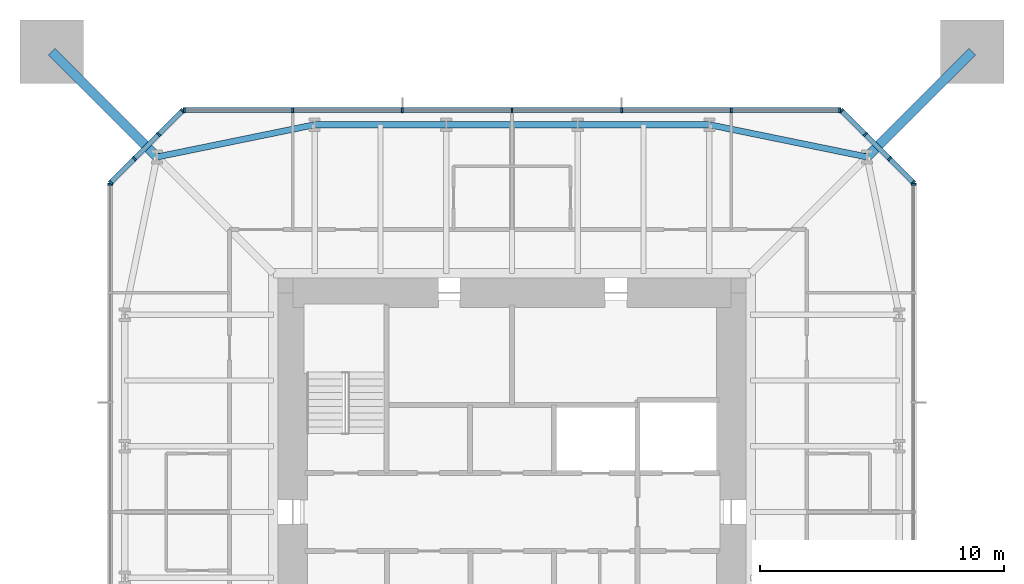
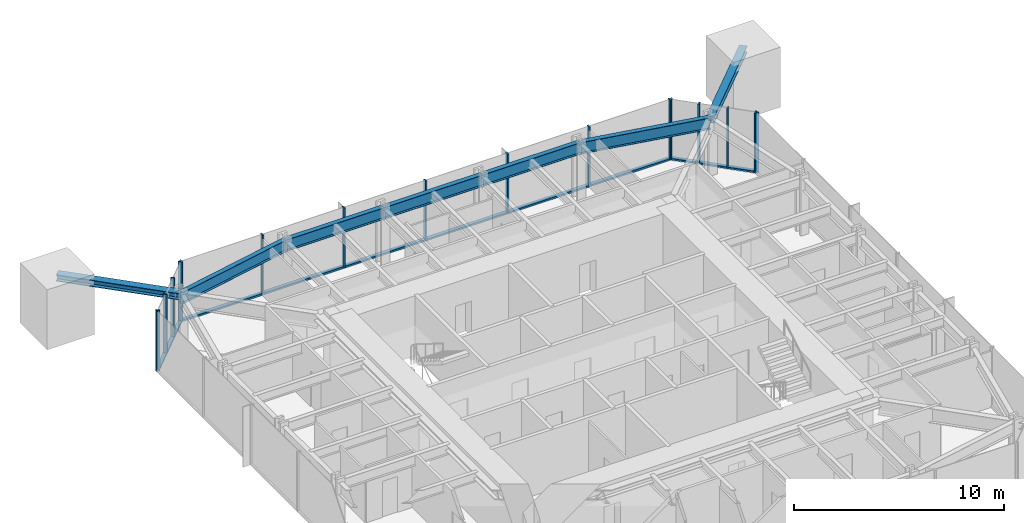
# One storey, part 4 of 9: 31 members, 5 beams, 5 elements without a shape of their own.
"""IFC4 building model written with IfcOpenShell, lengths in metres."""

import ifcopenshell
import ifcopenshell.guid

model = None  # the IFC model being written
_history = None  # IfcOwnerHistory: only IFC2X3 demands one
_inside = {}  # id of a spatial element -> (the spatial element, [elements in it])
_under = {}  # id of a project, library or spatial element -> (it, [spatial elements below it])
_declared = {}  # id of a project -> (the project, [libraries it declares])
_typed = {}  # id of a type object -> (the type object, [elements of that type])
_made_of = {}  # id of a material, layer set ... -> (it, [elements and type objects made of it])


def new_model(schema):
    """Start an empty IFC model of exactly this schema.

    Asked for "IFC4X3", IfcOpenShell would pick the latest addendum, in which some entities
    have other attributes; the version numbers below select the first issue.
    IFC2X3 requires an IfcOwnerHistory on every rooted entity: one is made here for all.
    """
    global model, _history
    if schema == "IFC4X3":
        model = ifcopenshell.file(schema_version=(4, 3, 0, 0))
    else:
        model = ifcopenshell.file(schema=schema)
    _inside.clear()
    _under.clear()
    _declared.clear()
    _typed.clear()
    _made_of.clear()
    _history = None
    if model.schema == "IFC2X3":
        org = make("IfcOrganization", Name="unknown")
        user = make(
            "IfcPersonAndOrganization",
            ThePerson=make("IfcPerson", FamilyName="unknown"),
            TheOrganization=org,
        )
        app = make(
            "IfcApplication",
            ApplicationDeveloper=org,
            Version="unknown",
            ApplicationFullName="unknown",
            ApplicationIdentifier="unknown",
        )
        _history = make(
            "IfcOwnerHistory",
            OwningUser=user,
            OwningApplication=app,
            ChangeAction="ADDED",
            CreationDate=0,
        )
    return model


def make(cls, **values):
    """One entity of the class cls with the attributes given. An attribute that is None is left unset."""
    return model.create_entity(
        cls, **{name: value for name, value in values.items() if value is not None}
    )


def rooted(cls, **values):
    """An entity with a GlobalId (a new one), such as an element, a storey or a relation."""
    return make(cls, GlobalId=ifcopenshell.guid.new(), OwnerHistory=_history, **values)


def si_unit(unit_type, name, prefix=None):
    """IfcSIUnit, for example si_unit("LENGTHUNIT", "METRE", prefix="MILLI")."""
    return make("IfcSIUnit", UnitType=unit_type, Prefix=prefix, Name=name)


def assignment(units):
    """IfcUnitAssignment: the units of a project."""
    return None if units is None else make("IfcUnitAssignment", Units=units)


def point(xyz):
    """IfcCartesianPoint."""
    return None if xyz is None else make("IfcCartesianPoint", Coordinates=xyz)


def direction(xyz):
    """IfcDirection."""
    return None if xyz is None else make("IfcDirection", DirectionRatios=xyz)


def frame(location, z_axis=None, x_axis=None):
    """IfcAxis2Placement3D, a coordinate frame: its origin and axes. An axis left out is left unset."""
    return make(
        "IfcAxis2Placement3D",
        Location=point(location),
        Axis=direction(z_axis),
        RefDirection=direction(x_axis),
    )


def frame_2d(location, x_axis=None):
    """IfcAxis2Placement2D, a coordinate frame in the plane: its origin and x axis."""
    return make(
        "IfcAxis2Placement2D", Location=point(location), RefDirection=direction(x_axis)
    )


def origin():
    """The frame at (0, 0, 0) with its axes left unset."""
    return frame((0.0, 0.0, 0.0))


def origin_2d():
    """The frame at (0, 0) in the plane with its x axis left unset."""
    return frame_2d((0.0, 0.0))


def place(relative_to, where):
    """IfcLocalPlacement: puts the frame where relative to a parent placement (None: the world)."""
    return make(
        "IfcLocalPlacement", PlacementRelTo=relative_to, RelativePlacement=where
    )


def context(
    kind, dimensions, precision=None, world=None, true_north=None, identifier=None
):
    """IfcGeometricRepresentationContext, for example the 3D "Model" context."""
    return make(
        "IfcGeometricRepresentationContext",
        ContextIdentifier=identifier,
        ContextType=kind,
        CoordinateSpaceDimension=dimensions,
        Precision=precision,
        WorldCoordinateSystem=world,
        TrueNorth=true_north,
    )


def subcontext(parent, identifier, kind, view, scale=None):
    """IfcGeometricRepresentationSubContext, for example "Body" below "Model"."""
    return make(
        "IfcGeometricRepresentationSubContext",
        ContextIdentifier=identifier,
        ContextType=kind,
        ParentContext=parent,
        TargetScale=scale,
        TargetView=view,
    )


def project(units=None, contexts=None):
    """IfcProject with its units and contexts."""
    return rooted(
        "IfcProject",
        Name="project",
        RepresentationContexts=contexts,
        UnitsInContext=assignment(units),
    )


def spatial(cls, under=None, at=None, **own):
    """A site, building, storey or space (cls), placed at a placement, below another one or the project."""
    s = rooted(cls, ObjectPlacement=at, **own)
    if under is not None:
        _under.setdefault(under.id(), (under, []))[1].append(s)
    return s


def profile(cls, at=None, kind="AREA", **sizes):
    """A parametric profile (cls). Its sizes go by their IFC names, for example OverallWidth=200.0."""
    return make(cls, ProfileType=kind, Position=at, **sizes)


def rectangle(**sizes):
    """IfcRectangleProfileDef."""
    return profile("IfcRectangleProfileDef", **sizes)


def i_section(**sizes):
    """IfcIShapeProfileDef."""
    return profile("IfcIShapeProfileDef", **sizes)


def extrude(swept, where, along, depth):
    """IfcExtrudedAreaSolid: the profile swept, set in the frame where, extruded along a direction by depth."""
    return make(
        "IfcExtrudedAreaSolid",
        SweptArea=swept,
        Position=where,
        ExtrudedDirection=direction(along),
        Depth=depth,
    )


def shape(context_of_items, identifier, shape_type, items):
    """IfcShapeRepresentation: the items that make up one representation, for example the "Body"."""
    return make(
        "IfcShapeRepresentation",
        ContextOfItems=context_of_items,
        RepresentationIdentifier=identifier,
        RepresentationType=shape_type,
        Items=items,
    )


def material(Name=None, Category=None):
    """IfcMaterial."""
    return make("IfcMaterial", Name=Name, Category=Category)


def material_profile(
    of_material, cross_section, Name=None, Category=None, Priority=None
):
    """IfcMaterialProfile: a cross section and its material."""
    return make(
        "IfcMaterialProfile",
        Name=Name,
        Material=of_material,
        Profile=cross_section,
        Priority=Priority,
        Category=Category,
    )


def profile_set(profiles, Name=None, composite=None):
    """IfcMaterialProfileSet."""
    return make(
        "IfcMaterialProfileSet",
        Name=Name,
        MaterialProfiles=profiles,
        CompositeProfile=composite,
    )


def made_of(thing, what):
    """Note that an element or type object is made of a material, layer set ...; save() writes the relation."""
    if what is not None:
        _made_of.setdefault(what.id(), (what, []))[1].append(thing)
    return thing


def type_object(cls, material=None, **own):
    """A type object (cls), such as IfcWallType, which elements share."""
    return made_of(rooted(cls, **own), material)


def element(
    cls,
    number,
    at=None,
    inside=None,
    cuts=None,
    type_object=None,
    material=None,
    context=None,
    identifier="Body",
    shape_type=None,
    held_by="IfcProductDefinitionShape",
    body=None,
    shapes=None,
    **own,
):
    """One element of the class cls, such as IfcWall. Its Tag is "e" and its number.

    at: its placement. inside: the storey or other place that contains it. cuts: it is an
    opening in that element (IfcRelVoidsElement). A single representation is given by context,
    identifier, shape_type and body (its items); several are given by shapes. held_by: the class
    of the entity that holds the representations. save() writes the other relations.
    """
    e = rooted(cls, Tag="e%d" % number, ObjectPlacement=at, **own)
    if body is not None:
        shapes = [shape(context, identifier, shape_type, body)]
    if shapes is not None:
        e.Representation = make(held_by, Representations=shapes)
    if inside is not None:
        _inside.setdefault(inside.id(), (inside, []))[1].append(e)
    if cuts is not None:
        rooted(
            "IfcRelVoidsElement", RelatingBuildingElement=cuts, RelatedOpeningElement=e
        )
    if type_object is not None:
        _typed.setdefault(type_object.id(), (type_object, []))[1].append(e)
    return made_of(e, material)


def aggregate(whole, parts):
    """IfcRelAggregates: a whole, such as a stair, and the parts it consists of."""
    return rooted("IfcRelAggregates", RelatingObject=whole, RelatedObjects=parts)


def save(model, path):
    """Write the relations noted so far, then the file.

    IfcRelAggregates (storeys below a building ...), IfcRelContainedInSpatialStructure (elements
    in a storey), IfcRelDefinesByType, IfcRelAssociatesMaterial and IfcRelDeclares: one each for
    every whole, place, type object, material and project.
    """
    for whole, parts in _under.values():
        aggregate(whole, parts)
    for where, things in _inside.values():
        rooted(
            "IfcRelContainedInSpatialStructure",
            RelatedElements=things,
            RelatingStructure=where,
        )
    for kind, things in _typed.values():
        rooted("IfcRelDefinesByType", RelatedObjects=things, RelatingType=kind)
    for what, things in _made_of.values():
        rooted("IfcRelAssociatesMaterial", RelatedObjects=things, RelatingMaterial=what)
    for by, libraries in _declared.values():
        rooted("IfcRelDeclares", RelatingContext=by, RelatedDefinitions=libraries)
    model.write(path)


model = new_model("IFC4")

# Units and contexts
model_context = context("Model", 3, precision=1e-05, world=origin(), true_north=direction((0.0, 1.0)))
body_context = subcontext(model_context, "Body", "Model", "MODEL_VIEW")
ifc_project = project(units=[si_unit("LENGTHUNIT", "METRE"), si_unit("AREAUNIT", "SQUARE_METRE"), si_unit("VOLUMEUNIT", "CUBIC_METRE"), si_unit("PLANEANGLEUNIT", "RADIAN"), si_unit("MASSUNIT", "GRAM", prefix="KILO")], contexts=[model_context])

# Site, building, storey
site_placement = place(None, origin())
site = spatial("IfcSite", under=ifc_project, at=site_placement, CompositionType="ELEMENT")
building_placement = place(site_placement, origin())
building = spatial("IfcBuilding", under=site, at=building_placement, Name="Iwan Alto Co-Living Towers", CompositionType="ELEMENT")
storey_placement = place(building_placement, frame((0.0, 0.0, 250.0)))
storey = spatial("IfcBuildingStorey", under=building, at=storey_placement, Name="L68", CompositionType="ELEMENT", Elevation=250.0)

# Curtain wall, member
ifc_material_1 = material(Name="Bronze aluminium unitised frame", Category="aluminium")
curtain_wall_type_1 = type_object("IfcCurtainWallType", Name="CURTAIN WALL CW-A", PredefinedType="NOTDEFINED", material=ifc_material_1)
curtain_wall_1_placement = place(storey_placement, origin())
curtain_wall_1 = element("IfcCurtainWall", 1, at=curtain_wall_1_placement, inside=storey, type_object=curtain_wall_type_1, Name="T1 curtain wall E L68", PredefinedType="NOTDEFINED")
ifc_material_2 = material(Name="Aluminium 6063-T6 bronze anodised", Category="aluminium")
ifc_material_profile_1 = material_profile(ifc_material_2, rectangle(XDim=0.199951171875, YDim=0.080078125, at=origin_2d()), Name="AL 80X200")
ifc_profile_set_1 = profile_set([ifc_material_profile_1], Name="Aluminium 6063-T6 bronze anodised")
member_type_1 = type_object("IfcMemberType", Name="CW-A MULLION 80X200", PredefinedType="MULLION", material=ifc_profile_set_1)
member_1_placement = place(storey_placement, frame((16.5, 13.4599609375, 0.0), z_axis=(0.0, 0.0, 1.0), x_axis=(-1.0, 0.0, 0.0)))
member_1 = element("IfcMember", 2, at=member_1_placement, type_object=member_type_1, Name="CW-A mullion 7", PredefinedType="MULLION", context=body_context, shape_type="SweptSolid", body=[
    extrude(rectangle(XDim=0.199951171875, YDim=0.080078125, at=origin_2d()), origin(), (0.0, 0.0, 1.0), 3.5),
])
aggregate(curtain_wall_1, [member_1])

# Curtain wall, members
curtain_wall_2_placement = place(storey_placement, origin())
curtain_wall_2 = element("IfcCurtainWall", 3, at=curtain_wall_2_placement, inside=storey, type_object=curtain_wall_type_1, Name="T1 curtain wall N L68", PredefinedType="NOTDEFINED")
member_2_placement = place(storey_placement, frame((13.4599609375, 16.5, 0.0), z_axis=(0.0, 0.0, 1.0), x_axis=(0.0, -1.0, 0.0)))
member_2 = element("IfcMember", 4, at=member_2_placement, type_object=member_type_1, Name="CW-A mullion 1", PredefinedType="MULLION", context=body_context, shape_type="SweptSolid", body=[
    extrude(rectangle(XDim=0.199951171875, YDim=0.080078125, at=origin_2d()), origin(), (0.0, 0.0, 1.0), 3.5),
])
member_3_placement = place(storey_placement, frame((9.0, 16.5, 0.0), z_axis=(0.0, 0.0, 1.0), x_axis=(0.0, -1.0, 0.0)))
member_3 = element("IfcMember", 5, at=member_3_placement, type_object=member_type_1, Name="CW-A mullion 2", PredefinedType="MULLION", context=body_context, shape_type="SweptSolid", body=[
    extrude(rectangle(XDim=0.199951171875, YDim=0.080078125, at=origin_2d()), origin(), (0.0, 0.0, 1.0), 3.5),
])
member_4_placement = place(storey_placement, frame((4.5, 16.5, 0.0), z_axis=(0.0, 0.0, 1.0), x_axis=(0.0, -1.0, 0.0)))
member_4 = element("IfcMember", 6, at=member_4_placement, type_object=member_type_1, Name="CW-A mullion 3", PredefinedType="MULLION", context=body_context, shape_type="SweptSolid", body=[
    extrude(rectangle(XDim=0.199951171875, YDim=0.080078125, at=origin_2d()), origin(), (0.0, 0.0, 1.0), 3.5),
])
member_5_placement = place(storey_placement, frame((0.0, 16.5, 0.0), z_axis=(0.0, 0.0, 1.0), x_axis=(0.0, -1.0, 0.0)))
member_5 = element("IfcMember", 7, at=member_5_placement, type_object=member_type_1, Name="CW-A mullion 4", PredefinedType="MULLION", context=body_context, shape_type="SweptSolid", body=[
    extrude(rectangle(XDim=0.199951171875, YDim=0.080078125, at=origin_2d()), origin(), (0.0, 0.0, 1.0), 3.5),
])
member_6_placement = place(storey_placement, frame((-4.5, 16.5, 0.0), z_axis=(0.0, 0.0, 1.0), x_axis=(0.0, -1.0, 0.0)))
member_6 = element("IfcMember", 8, at=member_6_placement, type_object=member_type_1, Name="CW-A mullion 5", PredefinedType="MULLION", context=body_context, shape_type="SweptSolid", body=[
    extrude(rectangle(XDim=0.199951171875, YDim=0.080078125, at=origin_2d()), origin(), (0.0, 0.0, 1.0), 3.5),
])
member_7_placement = place(storey_placement, frame((-9.0, 16.5, 0.0), z_axis=(0.0, 0.0, 1.0), x_axis=(0.0, -1.0, 0.0)))
member_7 = element("IfcMember", 9, at=member_7_placement, type_object=member_type_1, Name="CW-A mullion 6", PredefinedType="MULLION", context=body_context, shape_type="SweptSolid", body=[
    extrude(rectangle(XDim=0.199951171875, YDim=0.080078125, at=origin_2d()), origin(), (0.0, 0.0, 1.0), 3.5),
])
member_8_placement = place(storey_placement, frame((-13.4599609375, 16.5, 0.0), z_axis=(0.0, 0.0, 1.0), x_axis=(0.0, -1.0, 0.0)))
member_8 = element("IfcMember", 10, at=member_8_placement, type_object=member_type_1, Name="CW-A mullion 7", PredefinedType="MULLION", context=body_context, shape_type="SweptSolid", body=[
    extrude(rectangle(XDim=0.199951171875, YDim=0.080078125, at=origin_2d()), origin(), (0.0, 0.0, 1.0), 3.5),
])

# Curtain wall, member
curtain_wall_3_placement = place(storey_placement, origin())
curtain_wall_3 = element("IfcCurtainWall", 11, at=curtain_wall_3_placement, inside=storey, type_object=curtain_wall_type_1, Name="T1 curtain wall W L68", PredefinedType="NOTDEFINED")
member_9_placement = place(storey_placement, frame((-16.5, 13.4599609375, 0.0), z_axis=(0.0, 0.0, 1.0), x_axis=(1.0, 0.0, 0.0)))
member_9 = element("IfcMember", 12, at=member_9_placement, type_object=member_type_1, Name="CW-A mullion 1", PredefinedType="MULLION", context=body_context, shape_type="SweptSolid", body=[
    extrude(rectangle(XDim=0.199951171875, YDim=0.080078125, at=origin_2d()), origin(), (0.0, 0.0, 1.0), 3.5),
])
aggregate(curtain_wall_3, [member_9])

# Member
ifc_material_3 = material(Name="Aluminium 6063-T6 bronze anodised", Category="aluminium")
ifc_material_profile_2 = material_profile(ifc_material_3, rectangle(XDim=0.199951171875, YDim=0.10009765625, at=origin_2d()), Name="AL 200X100")
ifc_profile_set_2 = profile_set([ifc_material_profile_2], Name="Aluminium 6063-T6 bronze anodised")
member_type_2 = type_object("IfcMemberType", Name="CW-A TRANSOM 200X100", PredefinedType="USERDEFINED", material=ifc_profile_set_2)
member_10_placement = place(storey_placement, frame((13.419921875, 16.5, 0.050048828125), z_axis=(-1.0, 0.0, 0.0), x_axis=(0.0, -1.0, 0.0)))
member_10 = element("IfcMember", 13, at=member_10_placement, type_object=member_type_2, Name="CW-A transom 1.1", ObjectType="TRANSOM", PredefinedType="USERDEFINED", context=body_context, shape_type="SweptSolid", body=[
    extrude(rectangle(XDim=0.199951171875, YDim=0.10009765625, at=origin_2d()), origin(), (0.0, 0.0, 1.0), 4.3798828125),
])

member_11_placement = place(storey_placement, frame((8.9599609375, 16.5, 0.050048828125), z_axis=(-1.0, 0.0, 0.0), x_axis=(0.0, -1.0, 0.0)))
member_11 = element("IfcMember", 14, at=member_11_placement, type_object=member_type_2, Name="CW-A transom 2.1", ObjectType="TRANSOM", PredefinedType="USERDEFINED", context=body_context, shape_type="SweptSolid", body=[
    extrude(rectangle(XDim=0.199951171875, YDim=0.10009765625, at=origin_2d()), origin(), (0.0, 0.0, 1.0), 4.419921875),
])

member_12_placement = place(storey_placement, frame((4.4599609375, 16.5, 0.050048828125), z_axis=(-1.0, 0.0, 0.0), x_axis=(0.0, -1.0, 0.0)))
member_12 = element("IfcMember", 15, at=member_12_placement, type_object=member_type_2, Name="CW-A transom 3.1", ObjectType="TRANSOM", PredefinedType="USERDEFINED", context=body_context, shape_type="SweptSolid", body=[
    extrude(rectangle(XDim=0.199951171875, YDim=0.10009765625, at=origin_2d()), origin(), (0.0, 0.0, 1.0), 4.419921875),
])

member_13_placement = place(storey_placement, frame((-0.0400390625, 16.5, 0.050048828125), z_axis=(-1.0, 0.0, 0.0), x_axis=(0.0, -1.0, 0.0)))
member_13 = element("IfcMember", 16, at=member_13_placement, type_object=member_type_2, Name="CW-A transom 4.1", ObjectType="TRANSOM", PredefinedType="USERDEFINED", context=body_context, shape_type="SweptSolid", body=[
    extrude(rectangle(XDim=0.199951171875, YDim=0.10009765625, at=origin_2d()), origin(), (0.0, 0.0, 1.0), 4.419921875),
])

member_14_placement = place(storey_placement, frame((-4.5400390625, 16.5, 0.050048828125), z_axis=(-1.0, 0.0, 0.0), x_axis=(0.0, -1.0, 0.0)))
member_14 = element("IfcMember", 17, at=member_14_placement, type_object=member_type_2, Name="CW-A transom 5.1", ObjectType="TRANSOM", PredefinedType="USERDEFINED", context=body_context, shape_type="SweptSolid", body=[
    extrude(rectangle(XDim=0.199951171875, YDim=0.10009765625, at=origin_2d()), origin(), (0.0, 0.0, 1.0), 4.419921875),
])

member_15_placement = place(storey_placement, frame((-9.0400390625, 16.5, 0.050048828125), z_axis=(-1.0, 0.0, 0.0), x_axis=(0.0, -1.0, 0.0)))
member_15 = element("IfcMember", 18, at=member_15_placement, type_object=member_type_2, Name="CW-A transom 6.1", ObjectType="TRANSOM", PredefinedType="USERDEFINED", context=body_context, shape_type="SweptSolid", body=[
    extrude(rectangle(XDim=0.199951171875, YDim=0.10009765625, at=origin_2d()), origin(), (0.0, 0.0, 1.0), 4.3798828125),
])

aggregate(curtain_wall_2, [member_2, member_3, member_4, member_5, member_6, member_7, member_8, member_10, member_11, member_12, member_13, member_14, member_15])

# Curtain wall, members
ifc_material_4 = material(Name="Bronze aluminium unitised frame", Category="aluminium")
curtain_wall_type_2 = type_object("IfcCurtainWallType", Name="CURTAIN WALL CW-B", PredefinedType="NOTDEFINED", material=ifc_material_4)
curtain_wall_4_placement = place(storey_placement, origin())
curtain_wall_4 = element("IfcCurtainWall", 19, at=curtain_wall_4_placement, inside=storey, type_object=curtain_wall_type_2, Name="T1 chamfer curtain wall NE L68", PredefinedType="NOTDEFINED")
ifc_material_5 = material(Name="Aluminium 6063-T6 bronze anodised", Category="aluminium")
ifc_material_profile_3 = material_profile(ifc_material_5, rectangle(XDim=0.199951171875, YDim=0.080078125, at=origin_2d()), Name="AL 80X200")
ifc_profile_set_3 = profile_set([ifc_material_profile_3], Name="Aluminium 6063-T6 bronze anodised")
member_type_3 = type_object("IfcMemberType", Name="CW-B MULLION 80X200", PredefinedType="MULLION", material=ifc_profile_set_3)
member_16_placement = place(storey_placement, frame((16.4716796875, 13.5283203125, 0.0), z_axis=(0.0, 0.0, 1.0), x_axis=(-0.707106781187, -0.707106781187, 0.0)))
member_16 = element("IfcMember", 20, at=member_16_placement, type_object=member_type_3, Name="CW-B mullion 1", PredefinedType="MULLION", context=body_context, shape_type="SweptSolid", body=[
    extrude(rectangle(XDim=0.199951171875, YDim=0.080078125, at=origin_2d()), origin(), (0.0, 0.0, 1.0), 3.5),
])
member_17_placement = place(storey_placement, frame((15.5, 14.5, 0.0), z_axis=(0.0, 0.0, 1.0), x_axis=(-0.707106781187, -0.707106781187, 0.0)))
member_17 = element("IfcMember", 21, at=member_17_placement, type_object=member_type_3, Name="CW-B mullion 2", PredefinedType="MULLION", context=body_context, shape_type="SweptSolid", body=[
    extrude(rectangle(XDim=0.199951171875, YDim=0.080078125, at=origin_2d()), origin(), (0.0, 0.0, 1.0), 3.5),
])
member_18_placement = place(storey_placement, frame((14.5, 15.5, 0.0), z_axis=(0.0, 0.0, 1.0), x_axis=(-0.707106781187, -0.707106781187, 0.0)))
member_18 = element("IfcMember", 22, at=member_18_placement, type_object=member_type_3, Name="CW-B mullion 3", PredefinedType="MULLION", context=body_context, shape_type="SweptSolid", body=[
    extrude(rectangle(XDim=0.199951171875, YDim=0.080078125, at=origin_2d()), origin(), (0.0, 0.0, 1.0), 3.5),
])
member_19_placement = place(storey_placement, frame((13.5283203125, 16.4716796875, 0.0), z_axis=(0.0, 0.0, 1.0), x_axis=(-0.707106781187, -0.707106781187, 0.0)))
member_19 = element("IfcMember", 23, at=member_19_placement, type_object=member_type_3, Name="CW-B mullion 4", PredefinedType="MULLION", context=body_context, shape_type="SweptSolid", body=[
    extrude(rectangle(XDim=0.199951171875, YDim=0.080078125, at=origin_2d()), origin(), (0.0, 0.0, 1.0), 3.5),
])

curtain_wall_5_placement = place(storey_placement, origin())
curtain_wall_5 = element("IfcCurtainWall", 24, at=curtain_wall_5_placement, inside=storey, type_object=curtain_wall_type_2, Name="T1 chamfer curtain wall NW L68", PredefinedType="NOTDEFINED")
member_20_placement = place(storey_placement, frame((-13.5283203125, 16.4716796875, 0.0), z_axis=(0.0, 0.0, 1.0), x_axis=(0.707106781187, -0.707106781187, 0.0)))
member_20 = element("IfcMember", 25, at=member_20_placement, type_object=member_type_3, Name="CW-B mullion 1", PredefinedType="MULLION", context=body_context, shape_type="SweptSolid", body=[
    extrude(rectangle(XDim=0.199951171875, YDim=0.080078125, at=origin_2d()), origin(), (0.0, 0.0, 1.0), 3.5),
])
member_21_placement = place(storey_placement, frame((-14.5, 15.5, 0.0), z_axis=(0.0, 0.0, 1.0), x_axis=(0.707106781187, -0.707106781187, 0.0)))
member_21 = element("IfcMember", 26, at=member_21_placement, type_object=member_type_3, Name="CW-B mullion 2", PredefinedType="MULLION", context=body_context, shape_type="SweptSolid", body=[
    extrude(rectangle(XDim=0.199951171875, YDim=0.080078125, at=origin_2d()), origin(), (0.0, 0.0, 1.0), 3.5),
])
member_22_placement = place(storey_placement, frame((-15.5, 14.5, 0.0), z_axis=(0.0, 0.0, 1.0), x_axis=(0.707106781187, -0.707106781187, 0.0)))
member_22 = element("IfcMember", 27, at=member_22_placement, type_object=member_type_3, Name="CW-B mullion 3", PredefinedType="MULLION", context=body_context, shape_type="SweptSolid", body=[
    extrude(rectangle(XDim=0.199951171875, YDim=0.080078125, at=origin_2d()), origin(), (0.0, 0.0, 1.0), 3.5),
])
member_23_placement = place(storey_placement, frame((-16.4716796875, 13.5283203125, 0.0), z_axis=(0.0, 0.0, 1.0), x_axis=(0.707106781187, -0.707106781187, 0.0)))
member_23 = element("IfcMember", 28, at=member_23_placement, type_object=member_type_3, Name="CW-B mullion 4", PredefinedType="MULLION", context=body_context, shape_type="SweptSolid", body=[
    extrude(rectangle(XDim=0.199951171875, YDim=0.080078125, at=origin_2d()), origin(), (0.0, 0.0, 1.0), 3.5),
])

# Member
ifc_material_6 = material(Name="Aluminium 6063-T6 bronze anodised", Category="aluminium")
ifc_material_profile_4 = material_profile(ifc_material_6, rectangle(XDim=0.199951171875, YDim=0.10009765625, at=origin_2d()), Name="AL 200X100")
ifc_profile_set_4 = profile_set([ifc_material_profile_4], Name="Aluminium 6063-T6 bronze anodised")
member_type_4 = type_object("IfcMemberType", Name="CW-B TRANSOM 200X100", PredefinedType="USERDEFINED", material=ifc_profile_set_4)
member_24_placement = place(storey_placement, frame((16.443359375, 13.556640625, 0.050048828125), z_axis=(-0.707106781187, 0.707106781187, 0.0), x_axis=(-0.707106781187, -0.707106781187, 0.0)))
member_24 = element("IfcMember", 29, at=member_24_placement, type_object=member_type_4, Name="CW-B transom 1.1", ObjectType="TRANSOM", PredefinedType="USERDEFINED", context=body_context, shape_type="SweptSolid", body=[
    extrude(rectangle(XDim=0.199951171875, YDim=0.10009765625, at=origin_2d()), origin(), (0.0, 0.0, 1.0), 1.2939453125),
])

member_25_placement = place(storey_placement, frame((15.4716796875, 14.5283203125, 0.050048828125), z_axis=(-0.707106781187, 0.707106781187, 0.0), x_axis=(-0.707106781187, -0.707106781187, 0.0)))
member_25 = element("IfcMember", 30, at=member_25_placement, type_object=member_type_4, Name="CW-B transom 2.1", ObjectType="TRANSOM", PredefinedType="USERDEFINED", context=body_context, shape_type="SweptSolid", body=[
    extrude(rectangle(XDim=0.199951171875, YDim=0.10009765625, at=origin_2d()), origin(), (0.0, 0.0, 1.0), 1.334228515625),
])

member_26_placement = place(storey_placement, frame((14.4716796875, 15.5283203125, 0.050048828125), z_axis=(-0.707106781187, 0.707106781187, 0.0), x_axis=(-0.707106781187, -0.707106781187, 0.0)))
member_26 = element("IfcMember", 31, at=member_26_placement, type_object=member_type_4, Name="CW-B transom 3.1", ObjectType="TRANSOM", PredefinedType="USERDEFINED", context=body_context, shape_type="SweptSolid", body=[
    extrude(rectangle(XDim=0.199951171875, YDim=0.10009765625, at=origin_2d()), origin(), (0.0, 0.0, 1.0), 1.2939453125),
])

aggregate(curtain_wall_4, [member_16, member_17, member_18, member_19, member_24, member_25, member_26])

member_27_placement = place(storey_placement, frame((-13.556640625, 16.443359375, 0.050048828125), z_axis=(-0.707106781187, -0.707106781187, 0.0), x_axis=(0.707106781187, -0.707106781187, 0.0)))
member_27 = element("IfcMember", 32, at=member_27_placement, type_object=member_type_4, Name="CW-B transom 1.1", ObjectType="TRANSOM", PredefinedType="USERDEFINED", context=body_context, shape_type="SweptSolid", body=[
    extrude(rectangle(XDim=0.199951171875, YDim=0.10009765625, at=origin_2d()), origin(), (0.0, 0.0, 1.0), 1.2939453125),
])

member_28_placement = place(storey_placement, frame((-14.5283203125, 15.4716796875, 0.050048828125), z_axis=(-0.707106781187, -0.707106781187, 0.0), x_axis=(0.707106781187, -0.707106781187, 0.0)))
member_28 = element("IfcMember", 33, at=member_28_placement, type_object=member_type_4, Name="CW-B transom 2.1", ObjectType="TRANSOM", PredefinedType="USERDEFINED", context=body_context, shape_type="SweptSolid", body=[
    extrude(rectangle(XDim=0.199951171875, YDim=0.10009765625, at=origin_2d()), origin(), (0.0, 0.0, 1.0), 1.334228515625),
])

member_29_placement = place(storey_placement, frame((-15.5283203125, 14.4716796875, 0.050048828125), z_axis=(-0.707106781187, -0.707106781187, 0.0), x_axis=(0.707106781187, -0.707106781187, 0.0)))
member_29 = element("IfcMember", 34, at=member_29_placement, type_object=member_type_4, Name="CW-B transom 3.1", ObjectType="TRANSOM", PredefinedType="USERDEFINED", context=body_context, shape_type="SweptSolid", body=[
    extrude(rectangle(XDim=0.199951171875, YDim=0.10009765625, at=origin_2d()), origin(), (0.0, 0.0, 1.0), 1.2939453125),
])

aggregate(curtain_wall_5, [member_20, member_21, member_22, member_23, member_27, member_28, member_29])

# Beams
ifc_material_7 = material(Name="Steel ASTM A992 Gr 50", Category="steel")
ifc_material_profile_5 = material_profile(ifc_material_7, i_section(OverallWidth=0.25390625, OverallDepth=0.683349609375, WebThickness=0.012451171875, FlangeThickness=0.018798828125, at=origin_2d()), Name="W27X94")
ifc_profile_set_5 = profile_set([ifc_material_profile_5], Name="Steel ASTM A992 Gr 50")
beam_type = type_object("IfcBeamType", Name="T1 EDGE BEAM W27X94", PredefinedType="BEAM", material=ifc_profile_set_5)
beam_1_placement = place(storey_placement, frame((14.57568359375, 14.57568359375, 2.928466796875), z_axis=(-0.979724820103, 0.200347889618, 0.0), x_axis=(-0.200347889618, -0.979724820103, 0.0)))
element("IfcBeam", 35, at=beam_1_placement, inside=storey, type_object=beam_type, Name="T1 edge beam CNE L69", PredefinedType="BEAM", context=body_context, shape_type="SweptSolid", body=[
    extrude(i_section(OverallWidth=0.25390625, OverallDepth=0.683349609375, WebThickness=0.012451171875, FlangeThickness=0.018798828125, at=origin_2d()), origin(), (0.0, 0.0, 1.0), 6.609619140625),
])
beam_2_placement = place(storey_placement, frame((8.10009765625, 15.89990234375, 2.928466796875), z_axis=(-1.0, 0.0, 0.0), x_axis=(0.0, -1.0, 0.0)))
element("IfcBeam", 36, at=beam_2_placement, inside=storey, type_object=beam_type, Name="T1 edge beam N1 L69", PredefinedType="BEAM", context=body_context, shape_type="SweptSolid", body=[
    extrude(i_section(OverallWidth=0.25390625, OverallDepth=0.683349609375, WebThickness=0.012451171875, FlangeThickness=0.018798828125, at=origin_2d()), origin(), (0.0, 0.0, 1.0), 5.400146484375),
])
beam_3_placement = place(storey_placement, frame((2.699951171875, 15.89990234375, 2.928466796875), z_axis=(-1.0, 0.0, 0.0), x_axis=(0.0, -1.0, 0.0)))
element("IfcBeam", 37, at=beam_3_placement, inside=storey, type_object=beam_type, Name="T1 edge beam N2 L69", PredefinedType="BEAM", context=body_context, shape_type="SweptSolid", body=[
    extrude(i_section(OverallWidth=0.25390625, OverallDepth=0.683349609375, WebThickness=0.012451171875, FlangeThickness=0.018798828125, at=origin_2d()), origin(), (0.0, 0.0, 1.0), 5.39990234375),
])
beam_4_placement = place(storey_placement, frame((-2.699951171875, 15.89990234375, 2.928466796875), z_axis=(-1.0, 0.0, 0.0), x_axis=(0.0, -1.0, 0.0)))
element("IfcBeam", 38, at=beam_4_placement, inside=storey, type_object=beam_type, Name="T1 edge beam N3 L69", PredefinedType="BEAM", context=body_context, shape_type="SweptSolid", body=[
    extrude(i_section(OverallWidth=0.25390625, OverallDepth=0.683349609375, WebThickness=0.012451171875, FlangeThickness=0.018798828125, at=origin_2d()), origin(), (0.0, 0.0, 1.0), 5.400146484375),
])
beam_5_placement = place(storey_placement, frame((-8.10009765625, 15.89990234375, 2.928466796875), z_axis=(-0.979724820103, -0.200347889618, 0.0), x_axis=(0.200347889618, -0.979724820103, 0.0)))
element("IfcBeam", 39, at=beam_5_placement, inside=storey, type_object=beam_type, Name="T1 edge beam N4 L69", PredefinedType="BEAM", context=body_context, shape_type="SweptSolid", body=[
    extrude(i_section(OverallWidth=0.25390625, OverallDepth=0.683349609375, WebThickness=0.012451171875, FlangeThickness=0.018798828125, at=origin_2d()), origin(), (0.0, 0.0, 1.0), 6.609619140625),
])

# Members
ifc_material_8 = material(Name="Steel ASTM A992 Gr 50", Category="steel")
ifc_material_profile_6 = material_profile(ifc_material_8, i_section(OverallWidth=0.393798828125, OverallDepth=0.3759765625, WebThickness=0.017333984375, FlangeThickness=0.027587890625, at=origin_2d()), Name="W14X145")
ifc_profile_set_6 = profile_set([ifc_material_profile_6], Name="Steel ASTM A992 Gr 50")
member_type_5 = type_object("IfcMemberType", Name="T1 MEGA COLUMN FLOOR TIE W14X145", PredefinedType="STRUT", material=ifc_profile_set_6)
for number, where, z_axis, x_axis, name in (
    (40, (18.89990234375, 18.89990234375, 3.08203125), (-0.707106781187, -0.707106781187, 0.0), (0.707106781187, -0.707106781187, 0.0), "T1 mega column floor tie NE L69"),
    (41, (-18.89990234375, 18.89990234375, 3.08203125), (0.707106781187, -0.707106781187, 0.0), (0.707106781187, 0.707106781187, 0.0), "T1 mega column floor tie NW L69"),
):
    element("IfcMember", number, at=place(storey_placement, frame(where, z_axis=z_axis, x_axis=x_axis)), inside=storey, type_object=member_type_5, Name=name, PredefinedType="STRUT", context=body_context, shape_type="SweptSolid", body=[
        extrude(i_section(OverallWidth=0.393798828125, OverallDepth=0.3759765625, WebThickness=0.017333984375, FlangeThickness=0.027587890625, at=origin_2d()), origin(), (0.0, 0.0, 1.0), 6.115478515625),
    ])

save(model, "model.ifc")
